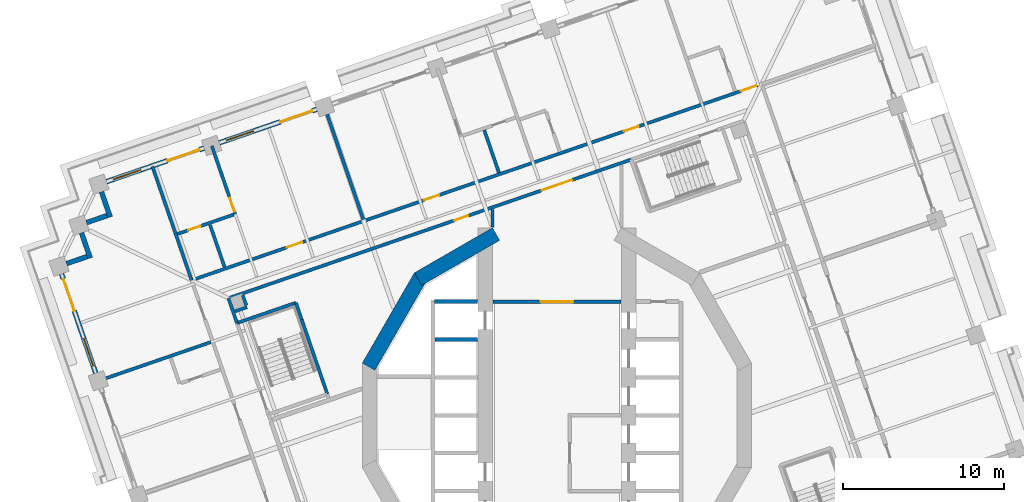
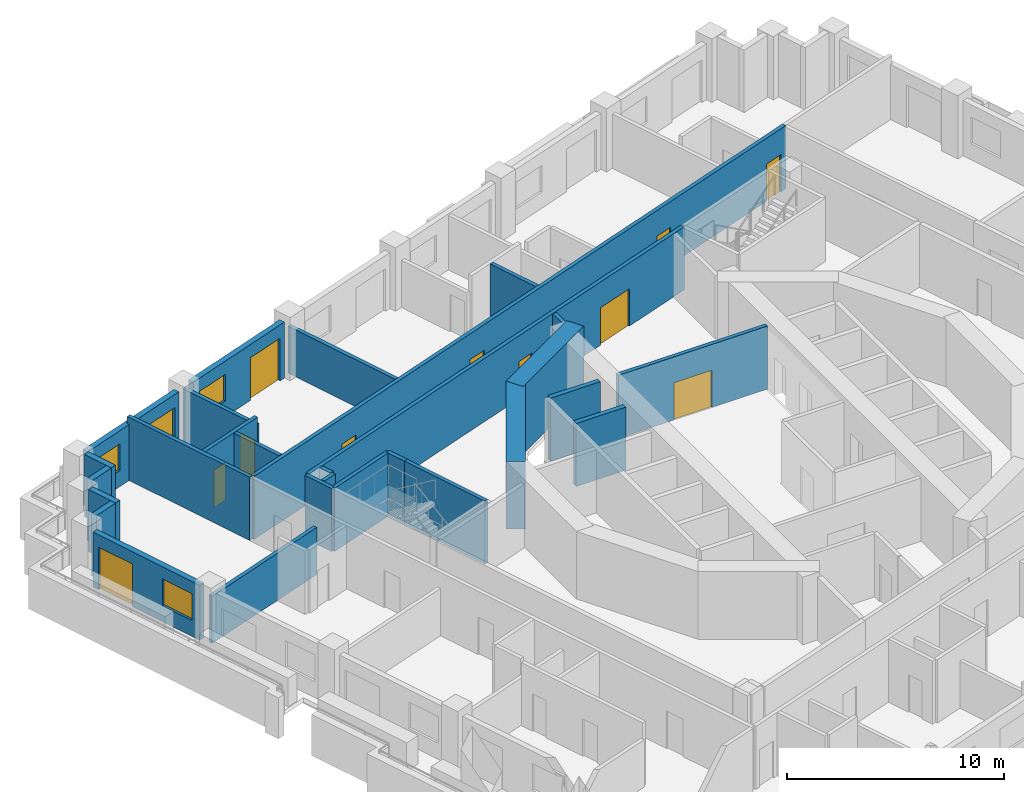
# One storey, part 8 of 19: 28 walls, 12 doors, 3 windows, 15 openings.
"""IFC4 building model written with IfcOpenShell, lengths in metres."""

from ifc_helpers import new_model, si_unit, direction, frame, frame_2d, origin, place, context, subcontext, project, spatial, rectangle, extrude, material, layer, layer_set, type_object, element, fill, save


model = new_model("IFC4")

# Units and contexts
model_context = context("Model", 3, precision=1e-05, world=origin(), true_north=direction((0.0, 1.0)))
body_context = subcontext(model_context, "Body", "Model", "MODEL_VIEW")
ifc_project = project(units=[si_unit("LENGTHUNIT", "METRE"), si_unit("AREAUNIT", "SQUARE_METRE"), si_unit("VOLUMEUNIT", "CUBIC_METRE"), si_unit("PLANEANGLEUNIT", "RADIAN"), si_unit("MASSUNIT", "GRAM", prefix="KILO")], contexts=[model_context])

# Site, building, storey
site_placement = place(None, origin())
site = spatial("IfcSite", under=ifc_project, at=site_placement, CompositionType="ELEMENT")
building_placement = place(site_placement, origin())
building = spatial("IfcBuilding", under=site, at=building_placement, Name="Cantera Rosa Tower", CompositionType="ELEMENT")
storey_placement = place(building_placement, frame((0.0, 0.0, 111.699951171875)))
storey = spatial("IfcBuildingStorey", under=building, at=storey_placement, Name="L22", CompositionType="ELEMENT", Elevation=111.699951171875)

# Walls
ifc_material_1 = material(Name="Gypsum board partition")
ifc_layer_1 = layer(ifc_material_1, 0.199951171875)
ifc_layer_set_1 = layer_set([ifc_layer_1], Name="CORRIDOR WALL 200 H3550")
wall_type_1 = type_object("IfcWallType", Name="CORRIDOR WALL 200 H3550", PredefinedType="PARTITIONING", material=ifc_layer_set_1)
wall_1_placement = place(storey_placement, frame((-20.37451171875, 7.262451171875, 0.0), z_axis=(0.0, 0.0, 1.0), x_axis=(0.325532736599, -0.945530770204, 0.0)))
element("IfcWall", 1, at=wall_1_placement, inside=storey, type_object=wall_type_1, Name="CORRIDOR WALL L22-008", PredefinedType="PARTITIONING", context=body_context, shape_type="SweptSolid", body=[
    extrude(rectangle(XDim=1.626708984375, YDim=0.199951171875, at=frame_2d((0.8134765625, 0.0))), origin(), (0.0, 0.0, 1.0), 3.550048828125),
])
wall_2_placement = place(storey_placement, frame((-4.0, 12.760498046875, 0.0), z_axis=(0.0, 0.0, 1.0), x_axis=(0.0, -1.0, 0.0)))
element("IfcWall", 2, at=wall_2_placement, inside=storey, type_object=wall_type_1, Name="CORRIDOR WALL L22-050", PredefinedType="PARTITIONING", context=body_context, shape_type="SweptSolid", body=[
    extrude(rectangle(XDim=1.09326171875, YDim=0.199951171875, at=frame_2d((0.546630859375, 0.0))), origin(), (0.0, 0.0, 1.0), 3.550048828125),
])

# Wall, opening, door
wall_3_placement = place(storey_placement, frame((-3.969970703125, 7.050048828125, 0.0), z_axis=(0.0, 0.0, 1.0), x_axis=(1.0, 0.0, 0.0)))
wall_3 = element("IfcWall", 3, at=wall_3_placement, inside=storey, type_object=wall_type_1, Name="CORRIDOR WALL L22-051", PredefinedType="PARTITIONING", context=body_context, shape_type="SweptSolid", body=[
    extrude(rectangle(XDim=7.93994140625, YDim=0.199951171875, at=frame_2d((3.969970703125, 0.0))), origin(), (0.0, 0.0, 1.0), 3.550048828125),
])
opening_1_placement = place(wall_3_placement, frame((2.969970703125, 0.0, 0.0)))
opening_1 = element("IfcOpeningElement", 4, at=opening_1_placement, cuts=wall_3, Name="Opening L22-008", PredefinedType="OPENING", context=body_context, shape_type="SweptSolid", body=[
    extrude(rectangle(XDim=2.0, YDim=2.10009765625, at=frame_2d((1.0, 1.050048828125))), frame((0.0, 0.10986328125, 0.0), z_axis=(0.0, -1.0, 0.0), x_axis=(1.0, 0.0, 0.0)), (0.0, 0.0, 1.0), 0.219970703125),
])
ifc_material_2 = material(Name="Steel S355J2 (EN 10025-2)", Category="steel")
door_type_1 = type_object("IfcDoorType", Name="LOBBY SCREEN DOOR 2000x2100", OperationType="NOTDEFINED", PredefinedType="DOOR", material=ifc_material_2)
door_1_placement = place(opening_1_placement, origin())
door_1 = element("IfcDoor", 5, at=door_1_placement, inside=storey, type_object=door_type_1, Name="DOOR L22-008", OperationType="NOTDEFINED", OverallHeight=2.10009765625, OverallWidth=2.0, PredefinedType="DOOR", context=body_context, shape_type="SweptSolid", body=[
    extrude(rectangle(XDim=2.0, YDim=2.10009765625, at=frame_2d((1.0, 1.050048828125))), frame((0.0, 0.02490234375, 0.0), z_axis=(0.0, -1.0, 0.0), x_axis=(1.0, 0.0, 0.0)), (0.0, 0.0, 1.0), 0.050048828125),
])
fill(opening_1, door_1)

# Wall, openings, doors
wall_4_placement = place(storey_placement, frame((4.599365234375, 15.861572265625, 0.0), z_axis=(0.0, 0.0, 1.0), x_axis=(-0.945517734257, -0.325570597884, 0.0)))
wall_4 = element("IfcWall", 6, at=wall_4_placement, inside=storey, type_object=wall_type_1, Name="CORRIDOR WALL L22-071", PredefinedType="PARTITIONING", context=body_context, shape_type="SweptSolid", body=[
    extrude(rectangle(XDim=26.312744140625, YDim=0.199951171875, at=frame_2d((13.15625, 0.0))), origin(), (0.0, 0.0, 1.0), 3.550048828125),
])
opening_2_placement = place(wall_4_placement, frame((10.697021484375, 0.0, 0.0)))
opening_2 = element("IfcOpeningElement", 7, at=opening_2_placement, cuts=wall_4, Name="Opening L22-004", PredefinedType="OPENING", context=body_context, shape_type="SweptSolid", body=[
    extrude(rectangle(XDim=0.89990234375, YDim=2.10009765625, at=frame_2d((0.449951171875, 1.050048828125))), frame((0.0, 0.10986328125, 0.0), z_axis=(0.0, -1.0, 0.0), x_axis=(1.0, 0.0, 0.0)), (0.0, 0.0, 1.0), 0.219970703125),
])
opening_3_placement = place(wall_4_placement, frame((3.864501953125, 0.0, 0.0)))
opening_3 = element("IfcOpeningElement", 8, at=opening_3_placement, cuts=wall_4, Name="Opening L22-007", PredefinedType="OPENING", context=body_context, shape_type="SweptSolid", body=[
    extrude(rectangle(XDim=2.0, YDim=2.10009765625, at=frame_2d((1.0, 1.050048828125))), frame((0.0, 0.10986328125, 0.0), z_axis=(0.0, -1.0, 0.0), x_axis=(1.0, 0.0, 0.0)), (0.0, 0.0, 1.0), 0.219970703125),
])
door_2_placement = place(opening_3_placement, origin())
door_2 = element("IfcDoor", 9, at=door_2_placement, inside=storey, type_object=door_type_1, Name="DOOR L22-007", OperationType="NOTDEFINED", OverallHeight=2.10009765625, OverallWidth=2.0, PredefinedType="DOOR", context=body_context, shape_type="SweptSolid", body=[
    extrude(rectangle(XDim=2.0, YDim=2.10009765625, at=frame_2d((1.0, 1.050048828125))), frame((0.0, 0.02490234375, 0.0), z_axis=(0.0, -1.0, 0.0), x_axis=(1.0, 0.0, 0.0)), (0.0, 0.0, 1.0), 0.050048828125),
])
fill(opening_3, door_2)
ifc_material_3 = material(Name="Timber door leaf", Category="wood")
door_type_2 = type_object("IfcDoorType", Name="SERVICE DOOR 900x2100", OperationType="NOTDEFINED", PredefinedType="DOOR", material=ifc_material_3)
door_3_placement = place(opening_2_placement, origin())
door_3 = element("IfcDoor", 10, at=door_3_placement, inside=storey, type_object=door_type_2, Name="DOOR L22-004", OperationType="NOTDEFINED", OverallHeight=2.10009765625, OverallWidth=0.89990234375, PredefinedType="DOOR", context=body_context, shape_type="SweptSolid", body=[
    extrude(rectangle(XDim=0.89990234375, YDim=2.10009765625, at=frame_2d((0.449951171875, 1.050048828125))), frame((0.0, 0.02490234375, 0.0), z_axis=(0.0, -1.0, 0.0), x_axis=(1.0, 0.0, 0.0)), (0.0, 0.0, 1.0), 0.050048828125),
])
fill(opening_2, door_3)

wall_5_placement = place(storey_placement, frame((12.699951171875, 20.5546875, 0.0), z_axis=(0.0, 0.0, 1.0), x_axis=(-0.945517636741, -0.325570881087, 0.0)))
wall_5 = element("IfcWall", 11, at=wall_5_placement, inside=storey, type_object=wall_type_1, Name="CORRIDOR WALL L22-093", PredefinedType="PARTITIONING", context=body_context, shape_type="SweptSolid", body=[
    extrude(rectangle(XDim=37.300048828125, YDim=0.199951171875, at=frame_2d((18.64990234375, 0.0))), origin(), (0.0, 0.0, 1.0), 3.550048828125),
])
opening_4_placement = place(wall_5_placement, frame((8.074951171875, 0.0, 0.0)))
opening_4 = element("IfcOpeningElement", 12, at=opening_4_placement, cuts=wall_5, Name="Opening L22-017", PredefinedType="OPENING", context=body_context, shape_type="SweptSolid", body=[
    extrude(rectangle(XDim=0.949951171875, YDim=2.10009765625, at=frame_2d((0.47509765625, 1.050048828125))), frame((0.0, 0.10986328125, 0.0), z_axis=(0.0, -1.0, 0.0), x_axis=(1.0, 0.0, 0.0)), (0.0, 0.0, 1.0), 0.219970703125),
])
opening_5_placement = place(wall_5_placement, frame((21.14990234375, 0.0, 0.0)))
opening_5 = element("IfcOpeningElement", 13, at=opening_5_placement, cuts=wall_5, Name="Opening L22-019", PredefinedType="OPENING", context=body_context, shape_type="SweptSolid", body=[
    extrude(rectangle(XDim=1.0, YDim=2.10009765625, at=frame_2d((0.5, 1.050048828125))), frame((0.0, 0.10986328125, 0.0), z_axis=(0.0, -1.0, 0.0), x_axis=(1.0, 0.0, 0.0)), (0.0, 0.0, 1.0), 0.219970703125),
])
opening_6_placement = place(wall_5_placement, frame((30.14990234375, 0.0, 0.0)))
opening_6 = element("IfcOpeningElement", 14, at=opening_6_placement, cuts=wall_5, Name="Opening L22-022", PredefinedType="OPENING", context=body_context, shape_type="SweptSolid", body=[
    extrude(rectangle(XDim=1.0, YDim=2.10009765625, at=frame_2d((0.5, 1.050048828125))), frame((0.0, 0.10986328125, 0.0), z_axis=(0.0, -1.0, 0.0), x_axis=(1.0, 0.0, 0.0)), (0.0, 0.0, 1.0), 0.219970703125),
])
opening_7_placement = place(wall_5_placement, frame((0.35009765625, 0.0, 0.0)))
opening_7 = element("IfcOpeningElement", 15, at=opening_7_placement, cuts=wall_5, Name="Opening L22-025", PredefinedType="OPENING", context=body_context, shape_type="SweptSolid", body=[
    extrude(rectangle(XDim=1.0, YDim=2.10009765625, at=frame_2d((0.5, 1.050048828125))), frame((0.0, 0.10986328125, 0.0), z_axis=(0.0, -1.0, 0.0), x_axis=(1.0, 0.0, 0.0)), (0.0, 0.0, 1.0), 0.219970703125),
])
ifc_material_4 = material(Name="Timber door leaf", Category="wood")
door_type_3 = type_object("IfcDoorType", Name="ENTRANCE DOOR 1000x2100", OperationType="NOTDEFINED", PredefinedType="DOOR", material=ifc_material_4)
door_4_placement = place(opening_5_placement, origin())
door_4 = element("IfcDoor", 16, at=door_4_placement, inside=storey, type_object=door_type_3, Name="DOOR L22-019", OperationType="NOTDEFINED", OverallHeight=2.10009765625, OverallWidth=1.0, PredefinedType="DOOR", context=body_context, shape_type="SweptSolid", body=[
    extrude(rectangle(XDim=1.0, YDim=2.10009765625, at=frame_2d((0.5, 1.050048828125))), frame((0.0, 0.02490234375, 0.0), z_axis=(0.0, -1.0, 0.0), x_axis=(1.0, 0.0, 0.0)), (0.0, 0.0, 1.0), 0.050048828125),
])
fill(opening_5, door_4)
door_5_placement = place(opening_6_placement, origin())
door_5 = element("IfcDoor", 17, at=door_5_placement, inside=storey, type_object=door_type_3, Name="DOOR L22-022", OperationType="NOTDEFINED", OverallHeight=2.10009765625, OverallWidth=1.0, PredefinedType="DOOR", context=body_context, shape_type="SweptSolid", body=[
    extrude(rectangle(XDim=1.0, YDim=2.10009765625, at=frame_2d((0.5, 1.050048828125))), frame((0.0, 0.02490234375, 0.0), z_axis=(0.0, -1.0, 0.0), x_axis=(1.0, 0.0, 0.0)), (0.0, 0.0, 1.0), 0.050048828125),
])
fill(opening_6, door_5)
door_6_placement = place(opening_7_placement, origin())
door_6 = element("IfcDoor", 18, at=door_6_placement, inside=storey, type_object=door_type_3, Name="DOOR L22-025", OperationType="NOTDEFINED", OverallHeight=2.10009765625, OverallWidth=1.0, PredefinedType="DOOR", context=body_context, shape_type="SweptSolid", body=[
    extrude(rectangle(XDim=1.0, YDim=2.10009765625, at=frame_2d((0.5, 1.050048828125))), frame((0.0, 0.02490234375, 0.0), z_axis=(0.0, -1.0, 0.0), x_axis=(1.0, 0.0, 0.0)), (0.0, 0.0, 1.0), 0.050048828125),
])
fill(opening_7, door_6)
ifc_material_5 = material(Name="Timber door leaf", Category="wood")
door_type_4 = type_object("IfcDoorType", Name="ROOM DOOR 950x2100", OperationType="NOTDEFINED", PredefinedType="DOOR", material=ifc_material_5)
door_7_placement = place(opening_4_placement, origin())
door_7 = element("IfcDoor", 19, at=door_7_placement, inside=storey, type_object=door_type_4, Name="DOOR L22-017", OperationType="NOTDEFINED", OverallHeight=2.10009765625, OverallWidth=0.949951171875, PredefinedType="DOOR", context=body_context, shape_type="SweptSolid", body=[
    extrude(rectangle(XDim=0.949951171875, YDim=2.10009765625, at=frame_2d((0.47509765625, 1.050048828125))), frame((0.0, 0.02490234375, 0.0), z_axis=(0.0, -1.0, 0.0), x_axis=(1.0, 0.0, 0.0)), (0.0, 0.0, 1.0), 0.050048828125),
])
fill(opening_4, door_7)

# Walls
ifc_material_6 = material(Name="Hollow clay masonry with cantera stone cladding", Category="masonry")
ifc_layer_2 = layer(ifc_material_6, 0.300048828125)
ifc_layer_set_2 = layer_set([ifc_layer_2], Name="EW-LOGGIA 300")
wall_type_2 = type_object("IfcWallType", Name="EW-LOGGIA 300", PredefinedType="SOLIDWALL", material=ifc_layer_set_2)
wall_6_placement = place(storey_placement, frame((-28.250732421875, 13.857421875, 0.0), z_axis=(0.0, 0.0, 1.0), x_axis=(0.325666906351, -0.945484566827, 0.0)))
element("IfcWall", 20, at=wall_6_placement, inside=storey, type_object=wall_type_2, Name="EN-L22-W14a", PredefinedType="SOLIDWALL", context=body_context, shape_type="SweptSolid", body=[
    extrude(rectangle(XDim=1.64990234375, YDim=0.300048828125, at=frame_2d((0.824951171875, 0.0))), origin(), (0.0, 0.0, 1.0), 3.5),
])
wall_7_placement = place(storey_placement, frame((-27.904052734375, 12.390380859375, 0.0), z_axis=(0.0, 0.0, 1.0), x_axis=(-0.945545797087, -0.325489086777, 0.0)))
element("IfcWall", 21, at=wall_7_placement, inside=storey, type_object=wall_type_2, Name="EN-L22-W14b", PredefinedType="SOLIDWALL", context=body_context, shape_type="SweptSolid", body=[
    extrude(rectangle(XDim=1.35009765625, YDim=0.300048828125, at=frame_2d((0.675048828125, 0.0))), origin(), (0.0, 0.0, 1.0), 3.5),
])
wall_8_placement = place(storey_placement, frame((-29.490478515625, 11.315185546875, 0.0), z_axis=(0.0, 0.0, 1.0), x_axis=(0.32553462645, -0.945530119553, 0.0)))
element("IfcWall", 22, at=wall_8_placement, inside=storey, type_object=wall_type_2, Name="EN-L22-W15a", PredefinedType="SOLIDWALL", context=body_context, shape_type="SweptSolid", body=[
    extrude(rectangle(XDim=1.64990234375, YDim=0.300048828125, at=frame_2d((0.824951171875, 0.0))), origin(), (0.0, 0.0, 1.0), 3.5),
])
wall_9_placement = place(storey_placement, frame((-29.14404296875, 9.84814453125, 0.0), z_axis=(0.0, 0.0, 1.0), x_axis=(-0.945526634763, -0.325544748006, 0.0)))
element("IfcWall", 23, at=wall_9_placement, inside=storey, type_object=wall_type_2, Name="EN-L22-W15b", PredefinedType="SOLIDWALL", context=body_context, shape_type="SweptSolid", body=[
    extrude(rectangle(XDim=1.349853515625, YDim=0.300048828125, at=frame_2d((0.6748046875, 0.0))), origin(), (0.0, 0.0, 1.0), 3.5),
])

# Wall, openings, window, door
ifc_material_7 = material(Name="Hollow clay masonry with cantera stone cladding", Category="masonry")
ifc_layer_3 = layer(ifc_material_7, 0.300048828125)
ifc_layer_set_3 = layer_set([ifc_layer_3], Name="EW-LOGGIA 300 H3090")
wall_type_3 = type_object("IfcWallType", Name="EW-LOGGIA 300 H3090", PredefinedType="SOLIDWALL", material=ifc_layer_set_3)
wall_10_placement = place(storey_placement, frame((-30.73046875, 8.773193359375, 0.0), z_axis=(0.0, 0.0, 1.0), x_axis=(0.325580990241, -0.945514155787, 0.0)))
wall_10 = element("IfcWall", 24, at=wall_10_placement, inside=storey, type_object=wall_type_3, Name="EN-L22-W16", PredefinedType="SOLIDWALL", context=body_context, shape_type="SweptSolid", body=[
    extrude(rectangle(XDim=6.52001953125, YDim=0.300048828125, at=frame_2d((3.260009765625, 0.0))), origin(), (0.0, 0.0, 1.0), 3.090087890625),
])
opening_8_placement = place(wall_10_placement, frame((0.330078125, 0.0, 0.0)))
opening_8 = element("IfcOpeningElement", 25, at=opening_8_placement, cuts=wall_10, Name="Opening L22-TD19", PredefinedType="OPENING", context=body_context, shape_type="SweptSolid", body=[
    extrude(rectangle(XDim=2.10009765625, YDim=2.39990234375, at=frame_2d((1.050048828125, 1.199951171875))), frame((0.0, 0.159912109375, 0.0), z_axis=(0.0, -1.0, 0.0), x_axis=(1.0, 0.0, 0.0)), (0.0, 0.0, 1.0), 0.320068359375),
])
opening_9_placement = place(wall_10_placement, frame((4.239990234375, 0.0, 0.89990234375)))
opening_9 = element("IfcOpeningElement", 26, at=opening_9_placement, cuts=wall_10, Name="Opening L22-W20", PredefinedType="OPENING", context=body_context, shape_type="SweptSolid", body=[
    extrude(rectangle(XDim=1.800048828125, YDim=1.5, at=frame_2d((0.89990234375, 0.75))), frame((0.0, 0.159912109375, 0.0), z_axis=(0.0, -1.0, 0.0), x_axis=(1.0, 0.0, 0.0)), (0.0, 0.0, 1.0), 0.320068359375),
])
ifc_material_8 = material(Name="Aluminium frame with clear glass", Category="aluminium")
window_type = type_object("IfcWindowType", Name="Hotel room window 1800x1500", PartitioningType="DOUBLE_PANEL_VERTICAL", PredefinedType="WINDOW", material=ifc_material_8)
window_1_placement = place(opening_9_placement, origin())
window_1 = element("IfcWindow", 27, at=window_1_placement, inside=storey, type_object=window_type, Name="WINDOW L22-W20", OverallHeight=1.5, OverallWidth=1.800048828125, PartitioningType="SINGLE_PANEL", PredefinedType="WINDOW", context=body_context, shape_type="SweptSolid", body=[
    extrude(rectangle(XDim=1.800048828125, YDim=1.5, at=frame_2d((0.89990234375, 0.75))), frame((0.0, 0.030029296875, 0.0), z_axis=(0.0, -1.0, 0.0), x_axis=(1.0, 0.0, 0.0)), (0.0, 0.0, 1.0), 0.06005859375),
])
fill(opening_9, window_1)
ifc_material_9 = material(Name="Aluminium frame with clear glass", Category="aluminium")
door_type_5 = type_object("IfcDoorType", Name="TD-H 2100x2400", OperationType="NOTDEFINED", PredefinedType="DOOR", material=ifc_material_9)
door_8_placement = place(opening_8_placement, origin())
door_8 = element("IfcDoor", 28, at=door_8_placement, inside=storey, type_object=door_type_5, Name="LOGGIA DOOR L22-TD19", OperationType="SLIDING_TO_LEFT", OverallHeight=2.39990234375, OverallWidth=2.10009765625, PredefinedType="DOOR", context=body_context, shape_type="SweptSolid", body=[
    extrude(rectangle(XDim=2.10009765625, YDim=2.39990234375, at=frame_2d((1.050048828125, 1.199951171875))), frame((0.0, 0.02490234375, 0.0), z_axis=(0.0, -1.0, 0.0), x_axis=(1.0, 0.0, 0.0)), (0.0, 0.0, 1.0), 0.050048828125),
])
fill(opening_8, door_8)

ifc_material_10 = material(Name="Hollow clay masonry with cantera stone cladding", Category="masonry")
ifc_layer_4 = layer(ifc_material_10, 0.300048828125)
ifc_layer_set_4 = layer_set([ifc_layer_4], Name="EW-LOGGIA 300 H3140")
wall_type_4 = type_object("IfcWallType", Name="EW-LOGGIA 300 H3140", PredefinedType="SOLIDWALL", material=ifc_layer_set_4)
wall_11_placement = place(storey_placement, frame((-14.892578125, 18.98583984375, 0.0), z_axis=(0.0, 0.0, 1.0), x_axis=(-0.945512753621, -0.325585062219, 0.0)))
wall_11 = element("IfcWall", 29, at=wall_11_placement, inside=storey, type_object=wall_type_4, Name="EN-L22-W12", PredefinedType="SOLIDWALL", context=body_context, shape_type="SweptSolid", body=[
    extrude(rectangle(XDim=6.39990234375, YDim=0.300048828125, at=frame_2d((3.199951171875, 0.0))), origin(), (0.0, 0.0, 1.0), 3.14013671875),
])
opening_10_placement = place(wall_11_placement, frame((0.300048828125, 0.0, 0.0)))
opening_10 = element("IfcOpeningElement", 30, at=opening_10_placement, cuts=wall_11, Name="Opening L22-TD15", PredefinedType="OPENING", context=body_context, shape_type="SweptSolid", body=[
    extrude(rectangle(XDim=2.10009765625, YDim=2.39990234375, at=frame_2d((1.050048828125, 1.199951171875))), frame((0.0, 0.159912109375, 0.0), z_axis=(0.0, -1.0, 0.0), x_axis=(1.0, 0.0, 0.0)), (0.0, 0.0, 1.0), 0.320068359375),
])
opening_11_placement = place(wall_11_placement, frame((4.14990234375, 0.0, 0.89990234375)))
opening_11 = element("IfcOpeningElement", 31, at=opening_11_placement, cuts=wall_11, Name="Opening L22-W16", PredefinedType="OPENING", context=body_context, shape_type="SweptSolid", body=[
    extrude(rectangle(XDim=1.800048828125, YDim=1.5, at=frame_2d((0.89990234375, 0.75))), frame((0.0, 0.159912109375, 0.0), z_axis=(0.0, -1.0, 0.0), x_axis=(1.0, 0.0, 0.0)), (0.0, 0.0, 1.0), 0.320068359375),
])
window_2_placement = place(opening_11_placement, origin())
window_2 = element("IfcWindow", 32, at=window_2_placement, inside=storey, type_object=window_type, Name="WINDOW L22-W16", OverallHeight=1.5, OverallWidth=1.800048828125, PartitioningType="SINGLE_PANEL", PredefinedType="WINDOW", context=body_context, shape_type="SweptSolid", body=[
    extrude(rectangle(XDim=1.800048828125, YDim=1.5, at=frame_2d((0.89990234375, 0.75))), frame((0.0, 0.030029296875, 0.0), z_axis=(0.0, -1.0, 0.0), x_axis=(1.0, 0.0, 0.0)), (0.0, 0.0, 1.0), 0.06005859375),
])
fill(opening_11, window_2)
door_9_placement = place(opening_10_placement, origin())
door_9 = element("IfcDoor", 33, at=door_9_placement, inside=storey, type_object=door_type_5, Name="LOGGIA DOOR L22-TD15", OperationType="SLIDING_TO_LEFT", OverallHeight=2.39990234375, OverallWidth=2.10009765625, PredefinedType="DOOR", context=body_context, shape_type="SweptSolid", body=[
    extrude(rectangle(XDim=2.10009765625, YDim=2.39990234375, at=frame_2d((1.050048828125, 1.199951171875))), frame((0.0, 0.02490234375, 0.0), z_axis=(0.0, -1.0, 0.0), x_axis=(1.0, 0.0, 0.0)), (0.0, 0.0, 1.0), 0.050048828125),
])
fill(opening_10, door_9)

wall_12_placement = place(storey_placement, frame((-21.889404296875, 16.57666015625, 0.0), z_axis=(0.0, 0.0, 1.0), x_axis=(-0.945512753621, -0.325585062219, 0.0)))
wall_12 = element("IfcWall", 34, at=wall_12_placement, inside=storey, type_object=wall_type_4, Name="EN-L22-W13", PredefinedType="SOLIDWALL", context=body_context, shape_type="SweptSolid", body=[
    extrude(rectangle(XDim=6.39990234375, YDim=0.300048828125, at=frame_2d((3.199951171875, 0.0))), origin(), (0.0, 0.0, 1.0), 3.14013671875),
])
opening_12_placement = place(wall_12_placement, frame((0.300048828125, 0.0, 0.0)))
opening_12 = element("IfcOpeningElement", 35, at=opening_12_placement, cuts=wall_12, Name="Opening L22-TD17", PredefinedType="OPENING", context=body_context, shape_type="SweptSolid", body=[
    extrude(rectangle(XDim=2.10009765625, YDim=2.39990234375, at=frame_2d((1.050048828125, 1.199951171875))), frame((0.0, 0.159912109375, 0.0), z_axis=(0.0, -1.0, 0.0), x_axis=(1.0, 0.0, 0.0)), (0.0, 0.0, 1.0), 0.320068359375),
])
opening_13_placement = place(wall_12_placement, frame((4.14990234375, 0.0, 0.89990234375)))
opening_13 = element("IfcOpeningElement", 36, at=opening_13_placement, cuts=wall_12, Name="Opening L22-W18", PredefinedType="OPENING", context=body_context, shape_type="SweptSolid", body=[
    extrude(rectangle(XDim=1.800048828125, YDim=1.5, at=frame_2d((0.89990234375, 0.75))), frame((0.0, 0.159912109375, 0.0), z_axis=(0.0, -1.0, 0.0), x_axis=(1.0, 0.0, 0.0)), (0.0, 0.0, 1.0), 0.320068359375),
])
window_3_placement = place(opening_13_placement, origin())
window_3 = element("IfcWindow", 37, at=window_3_placement, inside=storey, type_object=window_type, Name="WINDOW L22-W18", OverallHeight=1.5, OverallWidth=1.800048828125, PartitioningType="SINGLE_PANEL", PredefinedType="WINDOW", context=body_context, shape_type="SweptSolid", body=[
    extrude(rectangle(XDim=1.800048828125, YDim=1.5, at=frame_2d((0.89990234375, 0.75))), frame((0.0, 0.030029296875, 0.0), z_axis=(0.0, -1.0, 0.0), x_axis=(1.0, 0.0, 0.0)), (0.0, 0.0, 1.0), 0.06005859375),
])
fill(opening_13, window_3)
door_10_placement = place(opening_12_placement, origin())
door_10 = element("IfcDoor", 38, at=door_10_placement, inside=storey, type_object=door_type_5, Name="LOGGIA DOOR L22-TD17", OperationType="SLIDING_TO_LEFT", OverallHeight=2.39990234375, OverallWidth=2.10009765625, PredefinedType="DOOR", context=body_context, shape_type="SweptSolid", body=[
    extrude(rectangle(XDim=2.10009765625, YDim=2.39990234375, at=frame_2d((1.050048828125, 1.199951171875))), frame((0.0, 0.02490234375, 0.0), z_axis=(0.0, -1.0, 0.0), x_axis=(1.0, 0.0, 0.0)), (0.0, 0.0, 1.0), 0.050048828125),
])
fill(opening_12, door_10)

# Wall, opening, door
ifc_material_11 = material(Name="Gypsum board partition")
ifc_layer_5 = layer(ifc_material_11, 0.199951171875)
ifc_layer_set_5 = layer_set([ifc_layer_5], Name="PARTITION 200 H3050")
wall_type_5 = type_object("IfcWallType", Name="PARTITION 200 H3050", PredefinedType="PARTITIONING", material=ifc_layer_set_5)
wall_13_placement = place(storey_placement, frame((-21.406982421875, 16.7109375, 0.0), z_axis=(0.0, 0.0, 1.0), x_axis=(0.325584985388, -0.945512780078, 0.0)))
wall_13 = element("IfcWall", 39, at=wall_13_placement, inside=storey, type_object=wall_type_5, Name="PARTITION L22-006", PredefinedType="PARTITIONING", context=body_context, shape_type="SweptSolid", body=[
    extrude(rectangle(XDim=4.469970703125, YDim=0.199951171875, at=frame_2d((2.23486328125, 0.0))), origin(), (0.0, 0.0, 1.0), 3.050048828125),
])
opening_14_placement = place(wall_13_placement, frame((3.419921875, 0.0, 0.0)))
opening_14 = element("IfcOpeningElement", 40, at=opening_14_placement, cuts=wall_13, Name="Opening L22-023", PredefinedType="OPENING", context=body_context, shape_type="SweptSolid", body=[
    extrude(rectangle(XDim=0.89990234375, YDim=2.10009765625, at=frame_2d((0.449951171875, 1.050048828125))), frame((0.0, 0.10986328125, 0.0), z_axis=(0.0, -1.0, 0.0), x_axis=(1.0, 0.0, 0.0)), (0.0, 0.0, 1.0), 0.219970703125),
])
ifc_material_12 = material(Name="Timber door leaf", Category="wood")
door_type_6 = type_object("IfcDoorType", Name="ROOM DOOR 900x2100", OperationType="NOTDEFINED", PredefinedType="DOOR", material=ifc_material_12)
door_11_placement = place(opening_14_placement, origin())
door_11 = element("IfcDoor", 41, at=door_11_placement, inside=storey, type_object=door_type_6, Name="DOOR L22-023", OperationType="NOTDEFINED", OverallHeight=2.10009765625, OverallWidth=0.89990234375, PredefinedType="DOOR", context=body_context, shape_type="SweptSolid", body=[
    extrude(rectangle(XDim=0.89990234375, YDim=2.10009765625, at=frame_2d((0.449951171875, 1.050048828125))), frame((0.0, 0.02490234375, 0.0), z_axis=(0.0, -1.0, 0.0), x_axis=(1.0, 0.0, 0.0)), (0.0, 0.0, 1.0), 0.050048828125),
])
fill(opening_14, door_11)

# Walls
ifc_material_13 = material(Name="Gypsum board partition")
ifc_layer_6 = layer(ifc_material_13, 0.199951171875)
ifc_layer_set_6 = layer_set([ifc_layer_6], Name="PARTITION 200 H3550")
wall_type_6 = type_object("IfcWallType", Name="PARTITION 200 H3550", PredefinedType="PARTITIONING", material=ifc_layer_set_6)
wall_14_placement = place(storey_placement, frame((-21.52001953125, 11.817626953125, 0.0), z_axis=(0.0, 0.0, 1.0), x_axis=(0.325606281984, -0.945505446379, 0.0)))
element("IfcWall", 42, at=wall_14_placement, inside=storey, type_object=wall_type_6, Name="PARTITION L22-005", PredefinedType="PARTITIONING", context=body_context, shape_type="SweptSolid", body=[
    extrude(rectangle(XDim=2.760009765625, YDim=0.199951171875, at=frame_2d((1.3798828125, 0.0))), origin(), (0.0, 0.0, 1.0), 3.550048828125),
])
wall_15_placement = place(storey_placement, frame((-19.968017578125, 6.450439453125, 0.0), z_axis=(0.0, 0.0, 1.0), x_axis=(0.945539165087, 0.325508352099, 0.0)))
element("IfcWall", 43, at=wall_15_placement, inside=storey, type_object=wall_type_6, Name="PARTITION L22-009", PredefinedType="PARTITIONING", context=body_context, shape_type="SweptSolid", body=[
    extrude(rectangle(XDim=0.780029296875, YDim=0.199951171875, at=frame_2d((0.39013671875, 0.0))), origin(), (0.0, 0.0, 1.0), 3.550048828125),
])

# Wall, opening, door
wall_16_placement = place(storey_placement, frame((-20.046142578125, 12.451904296875, 0.0), z_axis=(0.0, 0.0, 1.0), x_axis=(-0.945515942466, -0.32557580153, 0.0)))
wall_16 = element("IfcWall", 44, at=wall_16_placement, inside=storey, type_object=wall_type_6, Name="PARTITION L22-010", PredefinedType="PARTITIONING", context=body_context, shape_type="SweptSolid", body=[
    extrude(rectangle(XDim=3.699951171875, YDim=0.199951171875, at=frame_2d((1.85009765625, 0.0))), origin(), (0.0, 0.0, 1.0), 3.550048828125),
])
opening_15_placement = place(wall_16_placement, frame((2.18994140625, 0.0, 0.0)))
opening_15 = element("IfcOpeningElement", 45, at=opening_15_placement, cuts=wall_16, Name="Opening L22-024", PredefinedType="OPENING", context=body_context, shape_type="SweptSolid", body=[
    extrude(rectangle(XDim=0.800048828125, YDim=2.10009765625, at=frame_2d((0.39990234375, 1.050048828125))), frame((0.0, 0.10986328125, 0.0), z_axis=(0.0, -1.0, 0.0), x_axis=(1.0, 0.0, 0.0)), (0.0, 0.0, 1.0), 0.219970703125),
])
ifc_material_14 = material(Name="Timber door leaf", Category="wood")
door_type_7 = type_object("IfcDoorType", Name="BATHROOM DOOR 800x2100", OperationType="NOTDEFINED", PredefinedType="DOOR", material=ifc_material_14)
door_12_placement = place(opening_15_placement, origin())
door_12 = element("IfcDoor", 46, at=door_12_placement, inside=storey, type_object=door_type_7, Name="DOOR L22-024", OperationType="NOTDEFINED", OverallHeight=2.10009765625, OverallWidth=0.800048828125, PredefinedType="DOOR", context=body_context, shape_type="SweptSolid", body=[
    extrude(rectangle(XDim=0.800048828125, YDim=2.10009765625, at=frame_2d((0.39990234375, 1.050048828125))), frame((0.0, 0.02490234375, 0.0), z_axis=(0.0, -1.0, 0.0), x_axis=(1.0, 0.0, 0.0)), (0.0, 0.0, 1.0), 0.050048828125),
])
fill(opening_15, door_12)

# Walls
wall_17_placement = place(storey_placement, frame((-19.26953125, 6.81787109375, 0.0), z_axis=(0.0, 0.0, 1.0), x_axis=(-0.32553462645, 0.945530119553, 0.0)))
element("IfcWall", 47, at=wall_17_placement, inside=storey, type_object=wall_type_6, Name="PARTITION L22-015", PredefinedType="PARTITIONING", context=body_context, shape_type="SweptSolid", body=[
    extrude(rectangle(XDim=0.659912109375, YDim=0.199951171875, at=frame_2d((0.330078125, 0.0))), origin(), (0.0, 0.0, 1.0), 3.550048828125),
])
wall_18_placement = place(storey_placement, frame((-3.595458984375, 15.04931640625, 0.0), z_axis=(0.0, 0.0, 1.0), x_axis=(-0.325576835135, 0.945515586558, 0.0)))
element("IfcWall", 48, at=wall_18_placement, inside=storey, type_object=wall_type_6, Name="PARTITION L22-052", PredefinedType="PARTITIONING", context=body_context, shape_type="SweptSolid", body=[
    extrude(rectangle(XDim=2.800048828125, YDim=0.199951171875, at=frame_2d((1.39990234375, 0.0))), origin(), (0.0, 0.0, 1.0), 3.550048828125),
])
ifc_material_15 = material(Name="Gypsum board partition")
ifc_layer_7 = layer(ifc_material_15, 0.199951171875)
ifc_layer_set_7 = layer_set([ifc_layer_7], Name="PARTY WALL 200 H2650")
wall_type_7 = type_object("IfcWallType", Name="PARTY WALL 200 H2650", PredefinedType="PARTITIONING", material=ifc_layer_set_7)
wall_19_placement = place(storey_placement, frame((-28.41650390625, 2.145263671875, 0.0), z_axis=(0.0, 0.0, 1.0), x_axis=(0.945511269654, 0.32558937169, 0.0)))
element("IfcWall", 49, at=wall_19_placement, inside=storey, type_object=wall_type_7, Name="PARTY WALL L22-001", PredefinedType="PARTITIONING", context=body_context, shape_type="SweptSolid", body=[
    extrude(rectangle(XDim=7.349853515625, YDim=0.199951171875, at=frame_2d((3.6748046875, 0.0))), origin(), (0.0, 0.0, 1.0), 2.650146484375),
])
wall_20_placement = place(storey_placement, frame((-12.010498046875, 12.15185546875, 0.0), z_axis=(0.0, 0.0, 1.0), x_axis=(-0.325563917555, 0.945520034471, 0.0)))
element("IfcWall", 50, at=wall_20_placement, inside=storey, type_object=wall_type_7, Name="PARTY WALL L22-029", PredefinedType="PARTITIONING", context=body_context, shape_type="SweptSolid", body=[
    extrude(rectangle(XDim=7.3701171875, YDim=0.199951171875, at=frame_2d((3.68505859375, 0.0))), origin(), (0.0, 0.0, 1.0), 2.650146484375),
])
ifc_material_16 = material(Name="Gypsum board partition")
ifc_layer_8 = layer(ifc_material_16, 0.199951171875)
ifc_layer_set_8 = layer_set([ifc_layer_8], Name="PARTY WALL 200 H3550")
wall_type_8 = type_object("IfcWallType", Name="PARTY WALL 200 H3550", PredefinedType="PARTITIONING", material=ifc_layer_set_8)
wall_21_placement = place(storey_placement, frame((-22.662353515625, 8.37841796875, 0.0), z_axis=(0.0, 0.0, 1.0), x_axis=(-0.325585748291, 0.945512517373, 0.0)))
element("IfcWall", 51, at=wall_21_placement, inside=storey, type_object=wall_type_8, Name="PARTY WALL L22-003", PredefinedType="PARTITIONING", context=body_context, shape_type="SweptSolid", body=[
    extrude(rectangle(XDim=7.469970703125, YDim=0.199951171875, at=frame_2d((3.73486328125, 0.0))), origin(), (0.0, 0.0, 1.0), 3.550048828125),
])
ifc_material_17 = material(Name="Concrete C70/85", Category="concrete")
ifc_layer_9 = layer(ifc_material_17, 0.89990234375)
ifc_layer_set_9 = layer_set([ifc_layer_9], Name="RC CORE WALL 900 C70/85")
wall_type_9 = type_object("IfcWallType", Name="RC CORE WALL 900 C70/85", PredefinedType="SHEAR", material=ifc_layer_set_9)
wall_22_placement = place(storey_placement, frame((-11.684326171875, 3.01025390625, 0.0), z_axis=(0.0, 0.0, 1.0), x_axis=(0.499990282633, 0.866031014036, 0.0)))
element("IfcWall", 52, at=wall_22_placement, inside=storey, type_object=wall_type_9, Name="CW-W4 L22", PredefinedType="SHEAR", context=body_context, shape_type="SweptSolid", body=[
    extrude(rectangle(XDim=6.470458984375, YDim=0.89990234375, at=frame_2d((3.2353515625, 0.0))), origin(), (0.0, 0.0, 1.0), 3.800048828125),
])
wall_23_placement = place(storey_placement, frame((-8.61376953125, 8.44921875, 0.0), z_axis=(0.0, 0.0, 1.0), x_axis=(0.866026961591, 0.49999730179, 0.0)))
element("IfcWall", 53, at=wall_23_placement, inside=storey, type_object=wall_type_9, Name="CW-W5 L22", PredefinedType="SHEAR", context=body_context, shape_type="SweptSolid", body=[
    extrude(rectangle(XDim=5.58740234375, YDim=0.89990234375, at=frame_2d((2.793701171875, 0.0))), origin(), (0.0, 0.0, 1.0), 3.800048828125),
])
ifc_material_18 = material(Name="Masonry blockwork", Category="masonry")
ifc_layer_10 = layer(ifc_material_18, 0.25)
ifc_layer_set_10 = layer_set([ifc_layer_10], Name="SHAFT WALL 250 H3550")
wall_type_10 = type_object("IfcWallType", Name="SHAFT WALL 250 H3550", PredefinedType="SOLIDWALL", material=ifc_layer_set_10)
wall_24_placement = place(storey_placement, frame((-7.574951171875, 4.699951171875, 0.0), z_axis=(0.0, 0.0, 1.0), x_axis=(1.0, 0.0, 0.0)))
element("IfcWall", 54, at=wall_24_placement, inside=storey, type_object=wall_type_10, Name="SHAFT WALL L22-043", PredefinedType="SOLIDWALL", context=body_context, shape_type="SweptSolid", body=[
    extrude(rectangle(XDim=2.64501953125, YDim=0.25, at=frame_2d((1.322509765625, 0.0))), origin(), (0.0, 0.0, 1.0), 3.550048828125),
])
wall_25_placement = place(storey_placement, frame((-4.929931640625, 7.050048828125, 0.0), z_axis=(0.0, 0.0, 1.0), x_axis=(-1.0, 0.0, 0.0)))
element("IfcWall", 55, at=wall_25_placement, inside=storey, type_object=wall_type_10, Name="SHAFT WALL L22-047", PredefinedType="SOLIDWALL", context=body_context, shape_type="SweptSolid", body=[
    extrude(rectangle(XDim=2.650146484375, YDim=0.25, at=frame_2d((1.3251953125, 0.0))), origin(), (0.0, 0.0, 1.0), 3.550048828125),
])
ifc_material_19 = material(Name="Concrete C50/60", Category="concrete")
ifc_layer_11 = layer(ifc_material_19, 0.199951171875)
ifc_layer_set_11 = layer_set([ifc_layer_11], Name="STAIR WALL 200 H3550")
wall_type_11 = type_object("IfcWallType", Name="STAIR WALL 200 H3550", PredefinedType="SOLIDWALL", material=ifc_layer_set_11)
wall_26_placement = place(storey_placement, frame((-16.193115234375, 6.98193359375, 0.0), z_axis=(0.0, 0.0, 1.0), x_axis=(-0.945507920529, -0.325599097382, 0.0)))
element("IfcWall", 56, at=wall_26_placement, inside=storey, type_object=wall_type_11, Name="STAIR WALL L22-023", PredefinedType="SOLIDWALL", context=body_context, shape_type="SweptSolid", body=[
    extrude(rectangle(XDim=3.8623046875, YDim=0.199951171875, at=frame_2d((1.93115234375, 0.0))), origin(), (0.0, 0.0, 1.0), 3.550048828125),
])
wall_27_placement = place(storey_placement, frame((-14.239501953125, 1.308837890625, 0.0), z_axis=(0.0, 0.0, 1.0), x_axis=(-0.325599106316, 0.945507917453, 0.0)))
element("IfcWall", 57, at=wall_27_placement, inside=storey, type_object=wall_type_11, Name="STAIR WALL L22-026", PredefinedType="SOLIDWALL", context=body_context, shape_type="SweptSolid", body=[
    extrude(rectangle(XDim=4.900146484375, YDim=0.199951171875, at=frame_2d((2.4501953125, 0.0))), origin(), (0.0, 0.0, 1.0), 3.550048828125),
])
wall_28_placement = place(storey_placement, frame((-15.8349609375, 5.94189453125, 0.0), z_axis=(0.0, 0.0, 1.0), x_axis=(-0.325600768791, 0.945507344955, 0.0)))
element("IfcWall", 58, at=wall_28_placement, inside=storey, type_object=wall_type_11, Name="STAIR WALL L22-026 J", PredefinedType="SOLIDWALL", context=body_context, shape_type="SweptSolid", body=[
    extrude(rectangle(XDim=1.10009765625, YDim=0.199951171875, at=frame_2d((0.550048828125, 0.0))), origin(), (0.0, 0.0, 1.0), 3.550048828125),
])

save(model, "model.ifc")
